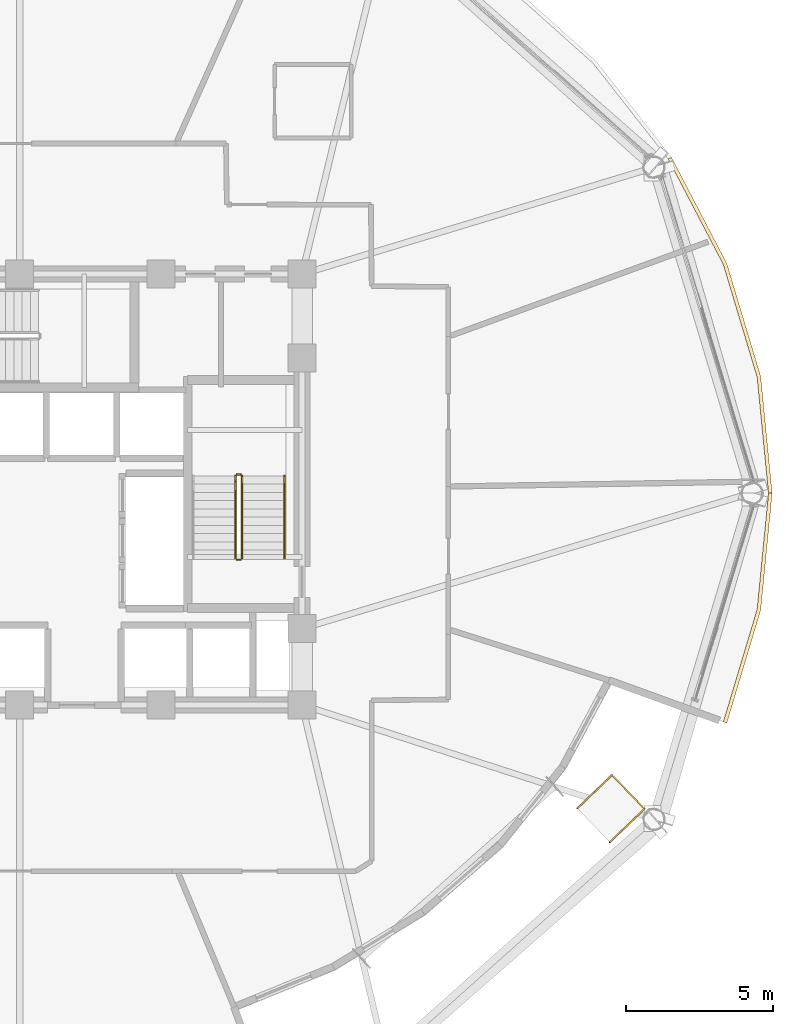
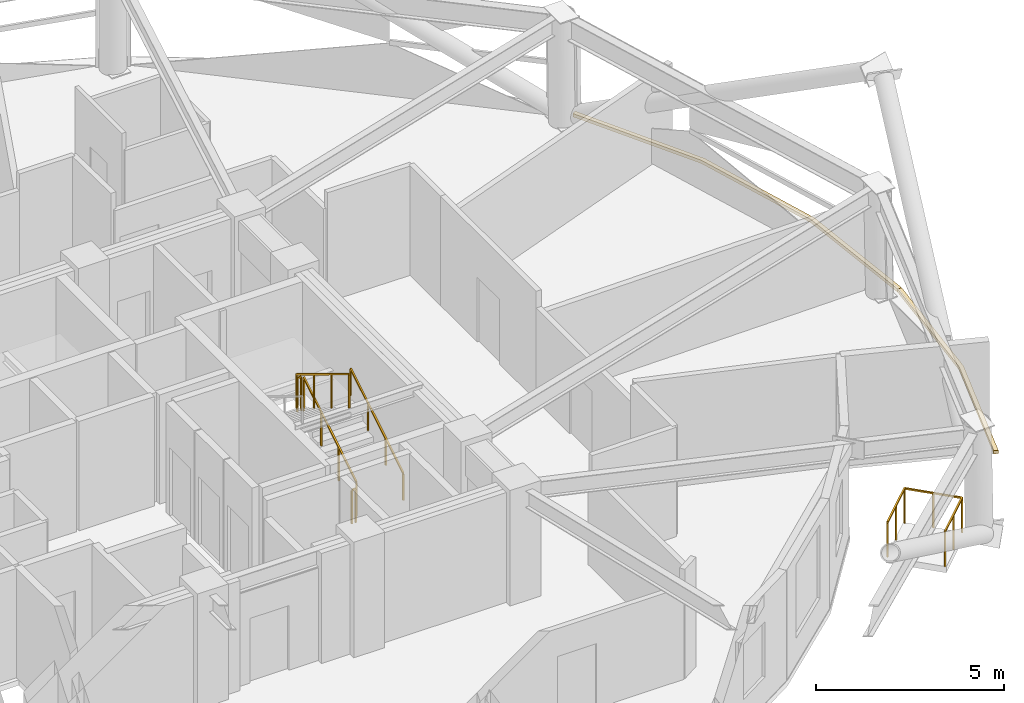
# One storey, part 16 of 17: 6 railings, 2 coverings.
"""IFC4 building model written with IfcOpenShell, lengths in metres."""

from ifc_helpers import new_model, si_unit, direction, frame, origin, origin_2d, place, context, subcontext, project, spatial, polyline, rectangle, outline, extrude, material, layer, layer_set, type_object, element, save


model = new_model("IFC4")

# Units and contexts
model_context = context("Model", 3, precision=1e-05, world=origin(), true_north=direction((0.0, 1.0)))
body_context = subcontext(model_context, "Body", "Model", "MODEL_VIEW")
ifc_project = project(units=[si_unit("LENGTHUNIT", "METRE"), si_unit("AREAUNIT", "SQUARE_METRE"), si_unit("VOLUMEUNIT", "CUBIC_METRE"), si_unit("PLANEANGLEUNIT", "RADIAN"), si_unit("MASSUNIT", "GRAM", prefix="KILO")], contexts=[model_context])

# Site, building, storey
site_placement = place(None, origin())
site = spatial("IfcSite", under=ifc_project, at=site_placement, CompositionType="ELEMENT")
building_placement = place(site_placement, origin())
building = spatial("IfcBuilding", under=site, at=building_placement, Name="Vantalir Tower", CompositionType="ELEMENT")
storey_placement = place(building_placement, frame((0.0, 0.0, 142.199951171875)))
storey = spatial("IfcBuildingStorey", under=building, at=storey_placement, Name="L35", CompositionType="ELEMENT", Elevation=142.199951171875)

# Coverings
ifc_material_1 = material(Name="Anodised champagne aluminium sill fascia", Category="aluminium")
ifc_layer = layer(ifc_material_1, 0.125)
ifc_layer_set = layer_set([ifc_layer], Name="Anodised champagne aluminium sill fascia")
covering_type = type_object("IfcCoveringType", Name="COV-SLAB-FASCIA-125", PredefinedType="CLADDING", material=ifc_layer_set)
covering_1_placement = place(storey_placement, frame((0.0, 0.0, -0.179931640625)))
element("IfcCovering", 1, at=covering_1_placement, inside=storey, type_object=covering_type, Name="L35 Perimeter Slab-Edge Sill Fascia 01", PredefinedType="CLADDING", context=body_context, shape_type="SweptSolid", body=[
    extrude(outline(polyline([(57.08203125, 25.0), (56.693115234375, 28.968994140625), (55.5390625, 32.81689453125), (53.655029296875, 36.427001953125), (53.5458984375, 36.364990234375), (55.422119140625, 32.77392578125), (56.570068359375, 28.947021484375), (56.95703125, 25.0), (57.08203125, 25.0)])), origin(), (0.0, 0.0, 1.0), 0.10498046875),
])
covering_2_placement = place(storey_placement, frame((0.0, 0.0, -0.179931640625)))
element("IfcCovering", 2, at=covering_2_placement, inside=storey, type_object=covering_type, Name="L35 Perimeter Slab-Edge Sill Fascia 12", PredefinedType="CLADDING", context=body_context, shape_type="SweptSolid", body=[
    extrude(outline(polyline([(55.5390625, 17.18310546875), (56.693115234375, 21.031005859375), (57.08203125, 25.0), (56.95703125, 25.0), (56.570068359375, 21.052978515625), (55.422119140625, 17.22607421875), (55.5390625, 17.18310546875)])), origin(), (0.0, 0.0, 1.0), 0.10498046875),
])

# Railings
ifc_material_2 = material(Name="Laminated safety glass and champagne-silver balustrade", Category="glass")
railing_type_1 = type_object("IfcRailingType", Name="RAL-BALUSTRADE-1200", PredefinedType="BALUSTRADE", material=ifc_material_2)
railing_1_placement = place(storey_placement, frame((51.56005859375, 13.135009765625, 0.0)))
element("IfcRailing", 3, at=railing_1_placement, inside=storey, type_object=railing_type_1, Name="Sky Garden Stair SG2 Upper Gallery Guard", PredefinedType="BALUSTRADE", context=body_context, shape_type="SweptSolid", body=[
    extrude(rectangle(XDim=0.048095703125, YDim=0.048095703125, at=origin_2d()), frame((0.0, 0.0, 1.1259765625), z_axis=(0.720669988152, 0.693278276146, 0.0), x_axis=(-0.693278276146, 0.720669988152, 0.0)), (0.0, 0.0, 1.0), 1.639892578125),
    extrude(rectangle(XDim=0.048095703125, YDim=0.048095703125, at=origin_2d()), frame((1.181884765625, 1.136962890625, 1.1259765625), z_axis=(-0.693151677646, 0.720791753405, 0.0), x_axis=(-0.720791753405, -0.693151677646, 0.0)), (0.0, 0.0, 1.0), 1.58984375),
    extrude(rectangle(XDim=0.048095703125, YDim=0.048095703125, at=origin_2d()), frame((0.079833984375, 2.282958984375, 1.1259765625), z_axis=(-0.720669988152, -0.693278276146, 0.0), x_axis=(0.693278276146, -0.720669988152, 0.0)), (0.0, 0.0, 1.0), 1.639892578125),
    extrude(rectangle(XDim=0.0419921875, YDim=0.0419921875, at=origin_2d()), origin(), (0.0, 0.0, 1.0), 1.101806640625),
    extrude(rectangle(XDim=0.0419921875, YDim=0.0419921875, at=origin_2d()), frame((0.5908203125, 0.568359375, 0.0)), (0.0, 0.0, 1.0), 1.101806640625),
    extrude(rectangle(XDim=0.0419921875, YDim=0.0419921875, at=origin_2d()), frame((1.181884765625, 1.136962890625, 0.0)), (0.0, 0.0, 1.0), 1.101806640625),
    extrude(rectangle(XDim=0.0419921875, YDim=0.0419921875, at=origin_2d()), frame((0.630859375, 1.7099609375, 0.0)), (0.0, 0.0, 1.0), 1.101806640625),
    extrude(rectangle(XDim=0.0419921875, YDim=0.0419921875, at=origin_2d()), frame((0.079833984375, 2.282958984375, 0.0)), (0.0, 0.0, 1.0), 1.101806640625),
    extrude(rectangle(XDim=0.0419921875, YDim=0.0419921875, at=origin_2d()), frame((-0.51123046875, 1.71435546875, 0.0)), (0.0, 0.0, 1.0), 1.101806640625),
    extrude(rectangle(XDim=0.0419921875, YDim=0.0419921875, at=origin_2d()), frame((-1.10205078125, 1.14599609375, 0.0)), (0.0, 0.0, 1.0), 1.101806640625),
])
ifc_material_3 = material(Name="Anodised aluminium and stainless steel guard", Category="steel")
railing_type_2 = type_object("IfcRailingType", Name="RAL-GUARD-1120", PredefinedType="GUARDRAIL", material=ifc_material_3)
railing_2_placement = place(storey_placement, frame((39.06005859375, 22.7900390625, 0.17041015625)))
element("IfcRailing", 4, at=railing_2_placement, inside=storey, type_object=railing_type_2, Name="L35 ST2 stair guard 1", PredefinedType="GUARDRAIL", context=body_context, shape_type="SweptSolid", body=[
    extrude(rectangle(XDim=0.048095703125, YDim=0.048095703125, at=origin_2d()), frame((0.0, 0.0, 1.09619140625), z_axis=(0.0, 0.854169791009, 0.51999420009), x_axis=(-1.0, 0.0, 0.0)), (0.0, 0.0, 1.0), 3.278076171875),
    extrude(rectangle(XDim=0.0419921875, YDim=0.0419921875, at=origin_2d()), origin(), (0.0, 0.0, 1.0), 1.072021484375),
    extrude(rectangle(XDim=0.0419921875, YDim=0.0419921875, at=origin_2d()), frame((0.0, 0.933349609375, 0.568115234375)), (0.0, 0.0, 1.0), 1.072021484375),
    extrude(rectangle(XDim=0.0419921875, YDim=0.0419921875, at=origin_2d()), frame((0.0, 1.86669921875, 1.136474609375)), (0.0, 0.0, 1.0), 1.072021484375),
    extrude(rectangle(XDim=0.0419921875, YDim=0.0419921875, at=origin_2d()), frame((0.0, 2.800048828125, 1.70458984375)), (0.0, 0.0, 1.0), 1.072021484375),
])
railing_3_placement = place(storey_placement, frame((39.010009765625, 25.639892578125, 1.875)))
element("IfcRailing", 5, at=railing_3_placement, inside=storey, type_object=railing_type_2, Name="L35 ST2 stair guard 2", PredefinedType="GUARDRAIL", context=body_context, shape_type="SweptSolid", body=[
    extrude(rectangle(XDim=0.048095703125, YDim=0.048095703125, at=origin_2d()), frame((0.0, 0.0, 1.09619140625), z_axis=(-1.0, 0.0, 0.0), x_axis=(0.0, -1.0, 0.0)), (0.0, 0.0, 1.0), 0.1201171875),
    extrude(rectangle(XDim=0.0419921875, YDim=0.0419921875, at=origin_2d()), origin(), (0.0, 0.0, 1.0), 1.072021484375),
    extrude(rectangle(XDim=0.0419921875, YDim=0.0419921875, at=origin_2d()), frame((-0.1201171875, 0.0, 0.0)), (0.0, 0.0, 1.0), 1.072021484375),
])
railing_4_placement = place(storey_placement, frame((38.840087890625, 25.590087890625, 2.04541015625)))
element("IfcRailing", 6, at=railing_4_placement, inside=storey, type_object=railing_type_2, Name="L35 ST2 stair guard 3", PredefinedType="GUARDRAIL", context=body_context, shape_type="SweptSolid", body=[
    extrude(rectangle(XDim=0.048095703125, YDim=0.048095703125, at=origin_2d()), frame((0.0, 0.0, 1.09619140625), z_axis=(0.0, -0.854169791009, 0.51999420009), x_axis=(1.0, 0.0, 0.0)), (0.0, 0.0, 1.0), 3.278076171875),
    extrude(rectangle(XDim=0.0419921875, YDim=0.0419921875, at=origin_2d()), origin(), (0.0, 0.0, 1.0), 1.072021484375),
    extrude(rectangle(XDim=0.0419921875, YDim=0.0419921875, at=origin_2d()), frame((0.0, -0.933349609375, 0.568115234375)), (0.0, 0.0, 1.0), 1.072021484375),
    extrude(rectangle(XDim=0.0419921875, YDim=0.0419921875, at=origin_2d()), frame((0.0, -1.86669921875, 1.136474609375)), (0.0, 0.0, 1.0), 1.072021484375),
    extrude(rectangle(XDim=0.0419921875, YDim=0.0419921875, at=origin_2d()), frame((0.0, -2.800048828125, 1.70458984375)), (0.0, 0.0, 1.0), 1.072021484375),
])
railing_5_placement = place(storey_placement, frame((39.010009765625, 22.739990234375, 0.0)))
element("IfcRailing", 7, at=railing_5_placement, inside=storey, type_object=railing_type_2, Name="L35 ST2 stair guard 4", PredefinedType="GUARDRAIL", context=body_context, shape_type="SweptSolid", body=[
    extrude(rectangle(XDim=0.048095703125, YDim=0.048095703125, at=origin_2d()), frame((0.0, 0.0, 1.09619140625), z_axis=(-1.0, 0.0, 0.0), x_axis=(0.0, -1.0, 0.0)), (0.0, 0.0, 1.0), 0.1201171875),
    extrude(rectangle(XDim=0.0419921875, YDim=0.0419921875, at=origin_2d()), origin(), (0.0, 0.0, 1.0), 1.072021484375),
    extrude(rectangle(XDim=0.0419921875, YDim=0.0419921875, at=origin_2d()), frame((-0.1201171875, 0.0, 0.0)), (0.0, 0.0, 1.0), 1.072021484375),
])
ifc_material_4 = material(Name="Brushed stainless steel tubular handrail", Category="steel")
railing_type_3 = type_object("IfcRailingType", Name="RAL-HANDRAIL-900", PredefinedType="HANDRAIL", material=ifc_material_4)
railing_6_placement = place(storey_placement, frame((40.5, 22.7900390625, 0.17041015625)))
element("IfcRailing", 8, at=railing_6_placement, inside=storey, type_object=railing_type_3, Name="L35 ST2 stair handrail 1", PredefinedType="HANDRAIL", context=body_context, shape_type="SweptSolid", body=[
    extrude(rectangle(XDim=0.048095703125, YDim=0.048095703125, at=origin_2d()), frame((0.0, 0.0, 0.8759765625), z_axis=(0.0, 0.854169791009, 0.51999420009), x_axis=(-1.0, 0.0, 0.0)), (0.0, 0.0, 1.0), 3.278076171875),
    extrude(rectangle(XDim=0.0419921875, YDim=0.0419921875, at=origin_2d()), origin(), (0.0, 0.0, 1.0), 0.851806640625),
    extrude(rectangle(XDim=0.0419921875, YDim=0.0419921875, at=origin_2d()), frame((0.0, 0.933349609375, 0.568115234375)), (0.0, 0.0, 1.0), 0.851806640625),
    extrude(rectangle(XDim=0.0419921875, YDim=0.0419921875, at=origin_2d()), frame((0.0, 1.86669921875, 1.136474609375)), (0.0, 0.0, 1.0), 0.851806640625),
    extrude(rectangle(XDim=0.0419921875, YDim=0.0419921875, at=origin_2d()), frame((0.0, 2.800048828125, 1.70458984375)), (0.0, 0.0, 1.0), 0.851806640625),
])

save(model, "model.ifc")
